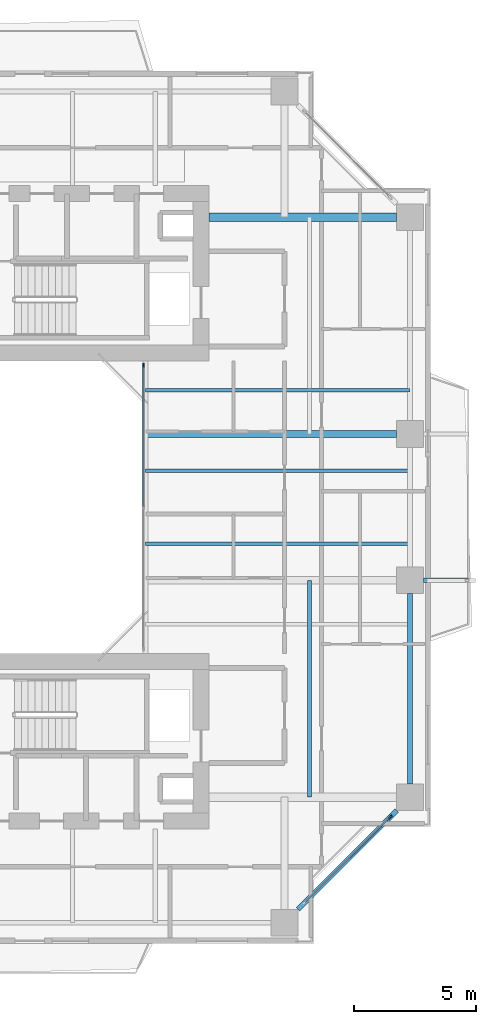
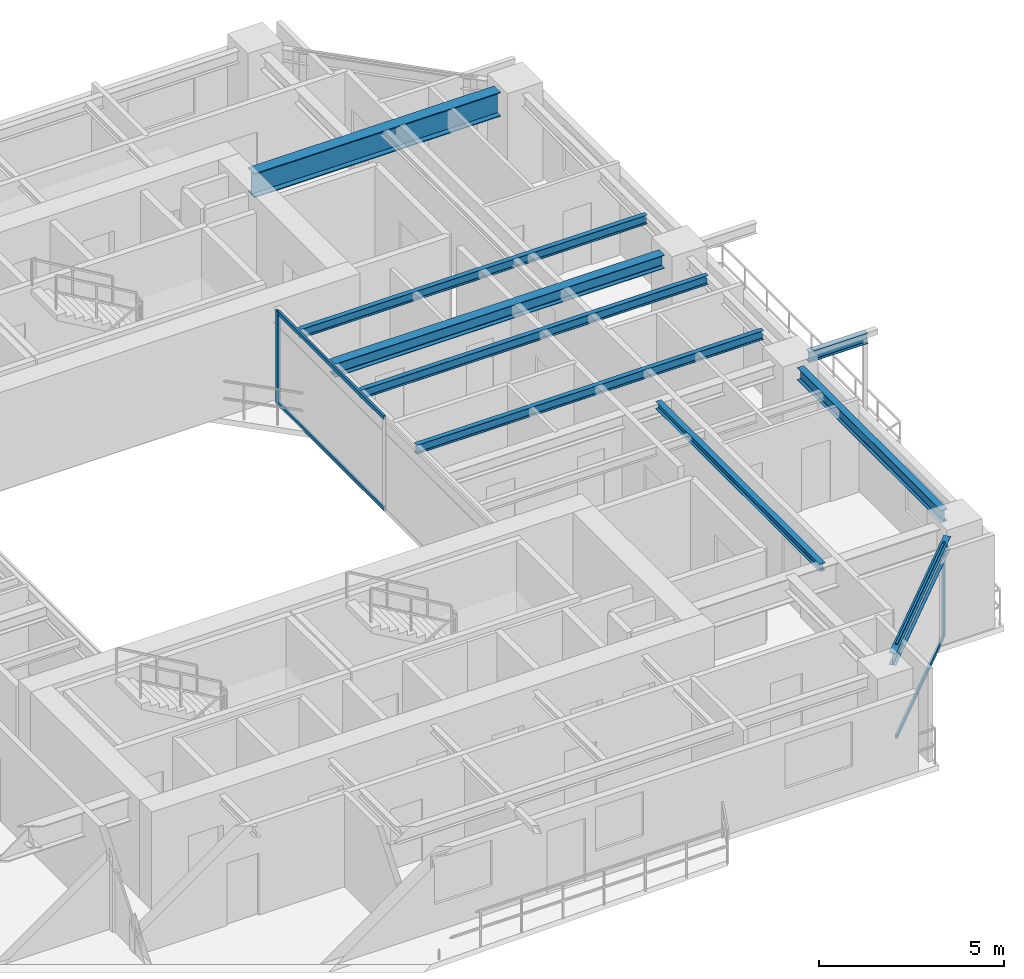
# One storey, part 6 of 17: 9 beams, 6 members, 2 elements without a shape of their own.
"""IFC4 building model written with IfcOpenShell, lengths in metres."""

from ifc_helpers import new_model, si_unit, direction, frame, origin, origin_2d, place, context, subcontext, project, spatial, rectangle, i_section, extrude, source, transform, mapped, material, layer, layer_set, material_profile, profile_set, type_object, element, aggregate, save


model = new_model("IFC4")

# Units and contexts
model_context = context("Model", 3, precision=1e-05, world=origin(), true_north=direction((0.0, 1.0)))
body_context = subcontext(model_context, "Body", "Model", "MODEL_VIEW")
ifc_project = project(units=[si_unit("LENGTHUNIT", "METRE"), si_unit("AREAUNIT", "SQUARE_METRE"), si_unit("VOLUMEUNIT", "CUBIC_METRE"), si_unit("PLANEANGLEUNIT", "RADIAN"), si_unit("MASSUNIT", "GRAM", prefix="KILO"), si_unit("THERMODYNAMICTEMPERATUREUNIT", "KELVIN"), si_unit("POWERUNIT", "WATT")], contexts=[model_context])

# Site, building, storey
site_placement = place(None, origin())
site = spatial("IfcSite", under=ifc_project, at=site_placement, CompositionType="ELEMENT")
building_placement = place(site_placement, origin())
building = spatial("IfcBuilding", under=site, at=building_placement, Name="Qiaomeng Ring Towers", CompositionType="ELEMENT")
storey_placement = place(building_placement, frame((0.0, 0.0, 119.75)))
storey = spatial("IfcBuildingStorey", under=building, at=storey_placement, Name="L34", CompositionType="ELEMENT", Elevation=119.75)

# Beams
ifc_material_1 = material(Name="Steel Q355B", Category="steel")
ifc_material_profile_1 = material_profile(ifc_material_1, i_section(OverallWidth=0.199951171875, OverallDepth=0.39990234375, WebThickness=0.008056640625, FlangeThickness=0.012939453125, FilletRadius=0.01611328125, at=origin_2d()), Name="HN 400x200x8x13")
ifc_profile_set_1 = profile_set([ifc_material_profile_1], Name="Steel Q355B")
beam_type_1 = type_object("IfcBeamType", Name="STR-BM-HN400", PredefinedType="SPANDREL", material=ifc_profile_set_1)
shared_shape_1 = source(origin(), body_context, "Body", "SweptSolid", [
    extrude(i_section(OverallWidth=0.199951171875, OverallDepth=0.39990234375, WebThickness=0.008056640625, FlangeThickness=0.012939453125, FilletRadius=0.01611328125, at=origin_2d()), origin(), (0.0, 0.0, 1.0), 5.729736328125),
])
beam_1_placement = place(storey_placement, frame((31.44921875, 6.499267578125, 2.8701171875), z_axis=(0.707106781187, 0.707106781187, 0.0), x_axis=(-0.707106781187, 0.707106781187, 0.0)))
element("IfcBeam", 1, at=beam_1_placement, inside=storey, type_object=beam_type_1, Name="L34 beam STR-SP-L34-T1-S2-E1", PredefinedType="SPANDREL", context=body_context, shape_type="MappedRepresentation", body=[
    mapped(shared_shape_1, transform((0.0, 0.0, 0.0), x_axis=(1.0, 0.0, 0.0), y_axis=(0.0, 1.0, 0.0), z_axis=(0.0, 0.0, 1.0), scale=1.0)),
])
shared_shape_2 = source(origin(), body_context, "Body", "SweptSolid", [
    extrude(i_section(OverallWidth=0.199951171875, OverallDepth=0.39990234375, WebThickness=0.008056640625, FlangeThickness=0.012939453125, FilletRadius=0.01611328125, at=origin_2d()), origin(), (0.0, 0.0, 1.0), 7.802001953125),
])
beam_2_placement = place(storey_placement, frame((36.050048828125, 11.64892578125, 2.8701171875), z_axis=(0.0, 1.0, 0.0), x_axis=(-1.0, 0.0, 0.0)))
element("IfcBeam", 2, at=beam_2_placement, inside=storey, type_object=beam_type_1, Name="L34 beam STR-SP-L34-T1-E1-E2", PredefinedType="SPANDREL", context=body_context, shape_type="MappedRepresentation", body=[
    mapped(shared_shape_2, transform((0.0, 0.0, 0.0), x_axis=(1.0, 0.0, 0.0), y_axis=(0.0, 1.0, 0.0), z_axis=(0.0, 0.0, 1.0), scale=1.0)),
])
ifc_material_2 = material(Name="Steel Q390GJC", Category="steel")
ifc_material_profile_2 = material_profile(ifc_material_2, i_section(OverallWidth=0.35009765625, OverallDepth=0.800048828125, WebThickness=0.01611328125, FlangeThickness=0.028076171875, at=origin_2d()), Name="WH 800x350x16x28")
ifc_profile_set_2 = profile_set([ifc_material_profile_2], Name="Steel Q390GJC")
beam_type_2 = type_object("IfcBeamType", Name="STR-BM-WH800", PredefinedType="BEAM", material=ifc_profile_set_2)
shared_shape_3 = source(origin(), body_context, "Body", "SweptSolid", [
    extrude(i_section(OverallWidth=0.35009765625, OverallDepth=0.800048828125, WebThickness=0.01611328125, FlangeThickness=0.028076171875, at=origin_2d()), origin(), (0.0, 0.0, 1.0), 7.700927734375),
])
beam_3_placement = place(storey_placement, frame((27.800048828125, 34.89990234375, 2.669921875), z_axis=(1.0, 0.0, 0.0), x_axis=(0.0, 1.0, 0.0)))
element("IfcBeam", 3, at=beam_3_placement, inside=storey, type_object=beam_type_2, Name="L34 beam STR-BM-L34-T1-RAD-E4", PredefinedType="BEAM", context=body_context, shape_type="MappedRepresentation", body=[
    mapped(shared_shape_3, transform((0.0, 0.0, 0.0), x_axis=(1.0, 0.0, 0.0), y_axis=(0.0, 1.0, 0.0), z_axis=(0.0, 0.0, 1.0), scale=1.0)),
])
ifc_material_profile_3 = material_profile(ifc_material_1, i_section(OverallWidth=0.300048828125, OverallDepth=0.43994140625, WebThickness=0.010986328125, FlangeThickness=0.01806640625, FilletRadius=0.02392578125, at=origin_2d()), Name="HM 440x300x11x18")
ifc_profile_set_3 = profile_set([ifc_material_profile_3], Name="Steel Q355B")
beam_type_3 = type_object("IfcBeamType", Name="STR-BM-HM440", PredefinedType="BEAM", material=ifc_profile_set_3)
shared_shape_4 = source(origin(), body_context, "Body", "SweptSolid", [
    extrude(i_section(OverallWidth=0.300048828125, OverallDepth=0.43994140625, WebThickness=0.010986328125, FlangeThickness=0.01806640625, FilletRadius=0.02392578125, at=origin_2d()), origin(), (0.0, 0.0, 1.0), 10.301025390625),
])
beam_4_placement = place(storey_placement, frame((25.199951171875, 26.0, 2.85009765625), z_axis=(1.0, 0.0, 0.0), x_axis=(0.0, 1.0, 0.0)))
element("IfcBeam", 4, at=beam_4_placement, inside=storey, type_object=beam_type_3, Name="L34 beam STR-BM-L34-T1-RAD-E3", PredefinedType="BEAM", context=body_context, shape_type="MappedRepresentation", body=[
    mapped(shared_shape_4, transform((0.0, 0.0, 0.0), x_axis=(1.0, 0.0, 0.0), y_axis=(0.0, 1.0, 0.0), z_axis=(0.0, 0.0, 1.0), scale=1.0)),
])
ifc_material_profile_4 = material_profile(ifc_material_1, i_section(OverallWidth=0.175048828125, OverallDepth=0.35009765625, WebThickness=0.007080078125, FlangeThickness=0.010986328125, FilletRadius=0.013916015625, at=origin_2d()), Name="HN 350x175x7x11")
ifc_profile_set_4 = profile_set([ifc_material_profile_4], Name="Steel Q355B")
beam_type_4 = type_object("IfcBeamType", Name="STR-BM-HN350", PredefinedType="JOIST", material=ifc_profile_set_4)
shared_shape_5 = source(origin(), body_context, "Body", "SweptSolid", [
    extrude(i_section(OverallWidth=0.175048828125, OverallDepth=0.35009765625, WebThickness=0.007080078125, FlangeThickness=0.010986328125, FilletRadius=0.013916015625, at=origin_2d()), origin(), (0.0, 0.0, 1.0), 1.8408203125),
])
beam_5_placement = place(storey_placement, frame((36.59912109375, 20.0, 2.89501953125), z_axis=(1.0, 0.0, 0.0), x_axis=(0.0, 1.0, 0.0)))
element("IfcBeam", 5, at=beam_5_placement, inside=storey, type_object=beam_type_4, Name="L34 beam STR-BALBM-L34-E2", PredefinedType="JOIST", context=body_context, shape_type="MappedRepresentation", body=[
    mapped(shared_shape_5, transform((0.0, 0.0, 0.0), x_axis=(1.0, 0.0, 0.0), y_axis=(0.0, 1.0, 0.0), z_axis=(0.0, 0.0, 1.0), scale=1.0)),
])
ifc_material_profile_5 = material_profile(ifc_material_1, i_section(OverallWidth=0.14990234375, OverallDepth=0.300048828125, WebThickness=0.006591796875, FlangeThickness=0.009033203125, FilletRadius=0.012939453125, at=origin_2d()), Name="HN 300x150x6.5x9")
ifc_profile_set_5 = profile_set([ifc_material_profile_5], Name="Steel Q355B")
beam_type_5 = type_object("IfcBeamType", Name="STR-BM-HN300", PredefinedType="JOIST", material=ifc_profile_set_5)
shared_shape_6 = source(origin(), body_context, "Body", "SweptSolid", [
    extrude(i_section(OverallWidth=0.14990234375, OverallDepth=0.300048828125, WebThickness=0.006591796875, FlangeThickness=0.009033203125, FilletRadius=0.012939453125, at=origin_2d()), origin(), (0.0, 0.0, 1.0), 10.85009765625),
])
for number, where, z_axis, x_axis, name in (
    (6, (25.199951171875, 21.5, 2.919921875), (1.0, 0.0, 0.0), (0.0, 1.0, 0.0), "L34 beam STR-JST-L34-T1E-2"),
    (7, (25.199951171875, 24.5, 2.919921875), (1.0, 0.0, 0.0), (0.0, 1.0, 0.0), "L34 beam STR-JST-L34-T1E-3"),
    (8, (25.199951171875, 27.800048828125, 2.919921875), (1.0, 0.0, 0.0), (0.0, 1.0, 0.0), "L34 beam STR-JST-L34-T1E-4"),
):
    element("IfcBeam", number, at=place(storey_placement, frame(where, z_axis=z_axis, x_axis=x_axis)), inside=storey, type_object=beam_type_5, Name=name, PredefinedType="JOIST", context=body_context, shape_type="MappedRepresentation", body=[
        mapped(shared_shape_6, transform((0.0, 0.0, 0.0), x_axis=(1.0, 0.0, 0.0), y_axis=(0.0, 1.0, 0.0), z_axis=(0.0, 0.0, 1.0), scale=1.0)),
    ])
ifc_material_profile_6 = material_profile(ifc_material_1, i_section(OverallWidth=0.175048828125, OverallDepth=0.243896484375, WebThickness=0.007080078125, FlangeThickness=0.010986328125, FilletRadius=0.01611328125, at=origin_2d()), Name="HM 244x175x7x11")
ifc_profile_set_6 = profile_set([ifc_material_profile_6], Name="Steel Q355B")
beam_type_6 = type_object("IfcBeamType", Name="STR-BM-HM244", PredefinedType="JOIST", material=ifc_profile_set_6)
shared_shape_7 = source(origin(), body_context, "Body", "SweptSolid", [
    extrude(i_section(OverallWidth=0.175048828125, OverallDepth=0.243896484375, WebThickness=0.007080078125, FlangeThickness=0.010986328125, FilletRadius=0.01611328125, at=origin_2d()), origin(), (0.0, 0.0, 1.0), 8.89990234375),
])
beam_6_placement = place(storey_placement, frame((31.925048828125, 11.10009765625, 2.947998046875), z_axis=(0.0, 1.0, 0.0), x_axis=(-1.0, 0.0, 0.0)))
element("IfcBeam", 9, at=beam_6_placement, inside=storey, type_object=beam_type_6, Name="L34 beam STR-JST-L34-T1C-ES", PredefinedType="JOIST", context=body_context, shape_type="MappedRepresentation", body=[
    mapped(shared_shape_7, transform((0.0, 0.0, 0.0), x_axis=(1.0, 0.0, 0.0), y_axis=(0.0, 1.0, 0.0), z_axis=(0.0, 0.0, 1.0), scale=1.0)),
])

# Curtain wall, members
ifc_material_3 = material(Name="Fluorocarbon dark-grey aluminium", Category="aluminium")
ifc_layer_1 = layer(ifc_material_3, 0.139892578125, Name="Fluorocarbon dark-grey aluminium")
ifc_layer_set_1 = layer_set([ifc_layer_1], Name="Fluorocarbon dark-grey aluminium")
curtain_wall_type_1 = type_object("IfcCurtainWallType", Name="ARC-CW-4", PredefinedType="NOTDEFINED", material=ifc_layer_set_1)
curtain_wall_1_placement = place(storey_placement, origin())
curtain_wall_1 = element("IfcCurtainWall", 10, at=curtain_wall_1_placement, inside=storey, type_object=curtain_wall_type_1, Name="L34 Curtain Wall CW4", PredefinedType="NOTDEFINED")
ifc_material_profile_7 = material_profile(ifc_material_3, rectangle(XDim=0.06494140625, YDim=0.159912109375, at=origin_2d()), Name="ALU MULL 65x160")
ifc_profile_set_7 = profile_set([ifc_material_profile_7], Name="Fluorocarbon dark-grey aluminium")
member_type_1 = type_object("IfcMemberType", Name="ARC-CWM-140", PredefinedType="MULLION", material=ifc_profile_set_7)
shared_shape_8 = source(origin(), body_context, "Body", "SweptSolid", [
    extrude(rectangle(XDim=0.06494140625, YDim=0.159912109375, at=origin_2d()), origin(), (0.0, 0.0, 1.0), 3.070068359375),
])
member_1_placement = place(storey_placement, frame((25.1201171875, 28.8173828125, 0.0), z_axis=(0.0, 0.0, 1.0), x_axis=(-1.0, 0.0, 0.0)))
member_1 = element("IfcMember", 11, at=member_1_placement, type_object=member_type_1, Name="CW4 mullion 3", PredefinedType="MULLION", context=body_context, shape_type="MappedRepresentation", body=[
    mapped(shared_shape_8, transform((0.0, 0.0, 0.0), x_axis=(1.0, 0.0, 0.0), y_axis=(0.0, 1.0, 0.0), z_axis=(0.0, 0.0, 1.0), scale=1.0)),
])
ifc_material_profile_8 = material_profile(ifc_material_3, rectangle(XDim=0.06494140625, YDim=0.1298828125, at=origin_2d()), Name="ALU TRAN 65x130")
ifc_profile_set_8 = profile_set([ifc_material_profile_8], Name="Fluorocarbon dark-grey aluminium")
member_type_2 = type_object("IfcMemberType", Name="ARC-CWT-120", PredefinedType="USERDEFINED", material=ifc_profile_set_8)
shared_shape_9 = source(origin(), body_context, "Body", "SweptSolid", [
    extrude(rectangle(XDim=0.06494140625, YDim=0.1298828125, at=origin_2d()), origin(), (0.0, 0.0, 1.0), 5.75244140625),
])
member_2_placement = place(storey_placement, frame((25.1201171875, 23.032470703125, 0.032470703125), z_axis=(0.0, 1.0, 0.0), x_axis=(-1.0, 0.0, 0.0)))
member_2 = element("IfcMember", 12, at=member_2_placement, type_object=member_type_2, Name="CW4 transom 2.1", ObjectType="TRANSOM", PredefinedType="USERDEFINED", context=body_context, shape_type="MappedRepresentation", body=[
    mapped(shared_shape_9, transform((0.0, 0.0, 0.0), x_axis=(1.0, 0.0, 0.0), y_axis=(0.0, 1.0, 0.0), z_axis=(0.0, 0.0, 1.0), scale=1.0)),
])
member_3_placement = place(storey_placement, frame((25.1201171875, 23.032470703125, 3.03759765625), z_axis=(0.0, 1.0, 0.0), x_axis=(-1.0, 0.0, 0.0)))
member_3 = element("IfcMember", 13, at=member_3_placement, type_object=member_type_2, Name="CW4 transom 2.2", ObjectType="TRANSOM", PredefinedType="USERDEFINED", context=body_context, shape_type="MappedRepresentation", body=[
    mapped(shared_shape_9, transform((0.0, 0.0, 0.0), x_axis=(1.0, 0.0, 0.0), y_axis=(0.0, 1.0, 0.0), z_axis=(0.0, 0.0, 1.0), scale=1.0)),
])
aggregate(curtain_wall_1, [member_1, member_2, member_3])

ifc_layer_2 = layer(ifc_material_3, 0.14990234375, Name="Fluorocarbon dark-grey aluminium")
ifc_layer_set_2 = layer_set([ifc_layer_2], Name="Fluorocarbon dark-grey aluminium")
curtain_wall_type_2 = type_object("IfcCurtainWallType", Name="ARC-CW-3", PredefinedType="NOTDEFINED", material=ifc_layer_set_2)
curtain_wall_2_placement = place(storey_placement, origin())
curtain_wall_2 = element("IfcCurtainWall", 14, at=curtain_wall_2_placement, inside=storey, type_object=curtain_wall_type_2, Name="L34 Curtain Wall CW3", PredefinedType="NOTDEFINED")
ifc_material_profile_9 = material_profile(ifc_material_3, rectangle(XDim=0.070068359375, YDim=0.179931640625, at=origin_2d()), Name="ALU MULL 70x180")
ifc_profile_set_9 = profile_set([ifc_material_profile_9], Name="Fluorocarbon dark-grey aluminium")
member_type_3 = type_object("IfcMemberType", Name="ARC-CWM-160", PredefinedType="MULLION", material=ifc_profile_set_9)
shared_shape_10 = source(origin(), body_context, "Body", "SweptSolid", [
    extrude(rectangle(XDim=0.070068359375, YDim=0.179931640625, at=origin_2d()), origin(), (0.0, 0.0, 1.0), 3.070068359375),
])
member_4_placement = place(storey_placement, frame((35.2353515625, 10.28515625, 0.0), z_axis=(0.0, 0.0, 1.0), x_axis=(-0.707106781187, 0.707106781187, 0.0)))
member_4 = element("IfcMember", 15, at=member_4_placement, type_object=member_type_3, Name="CW3 mullion 2", PredefinedType="MULLION", context=body_context, shape_type="MappedRepresentation", body=[
    mapped(shared_shape_10, transform((0.0, 0.0, 0.0), x_axis=(1.0, 0.0, 0.0), y_axis=(0.0, 1.0, 0.0), z_axis=(0.0, 0.0, 1.0), scale=1.0)),
])
shared_shape_11 = source(origin(), body_context, "Body", "SweptSolid", [
    extrude(rectangle(XDim=0.06494140625, YDim=0.1298828125, at=origin_2d()), origin(), (0.0, 0.0, 1.0), 4.90869140625),
])
member_5_placement = place(storey_placement, frame((31.739501953125, 6.78955078125, 0.032470703125), z_axis=(0.707106781187, 0.707106781187, 0.0), x_axis=(-0.707106781187, 0.707106781187, 0.0)))
member_5 = element("IfcMember", 16, at=member_5_placement, type_object=member_type_2, Name="CW3 transom 1.1", ObjectType="TRANSOM", PredefinedType="USERDEFINED", context=body_context, shape_type="MappedRepresentation", body=[
    mapped(shared_shape_11, transform((0.0, 0.0, 0.0), x_axis=(1.0, 0.0, 0.0), y_axis=(0.0, 1.0, 0.0), z_axis=(0.0, 0.0, 1.0), scale=1.0)),
])
member_6_placement = place(storey_placement, frame((31.739501953125, 6.78955078125, 3.03759765625), z_axis=(0.707106781187, 0.707106781187, 0.0), x_axis=(-0.707106781187, 0.707106781187, 0.0)))
member_6 = element("IfcMember", 17, at=member_6_placement, type_object=member_type_2, Name="CW3 transom 1.2", ObjectType="TRANSOM", PredefinedType="USERDEFINED", context=body_context, shape_type="MappedRepresentation", body=[
    mapped(shared_shape_11, transform((0.0, 0.0, 0.0), x_axis=(1.0, 0.0, 0.0), y_axis=(0.0, 1.0, 0.0), z_axis=(0.0, 0.0, 1.0), scale=1.0)),
])
aggregate(curtain_wall_2, [member_4, member_5, member_6])

save(model, "model.ifc")
